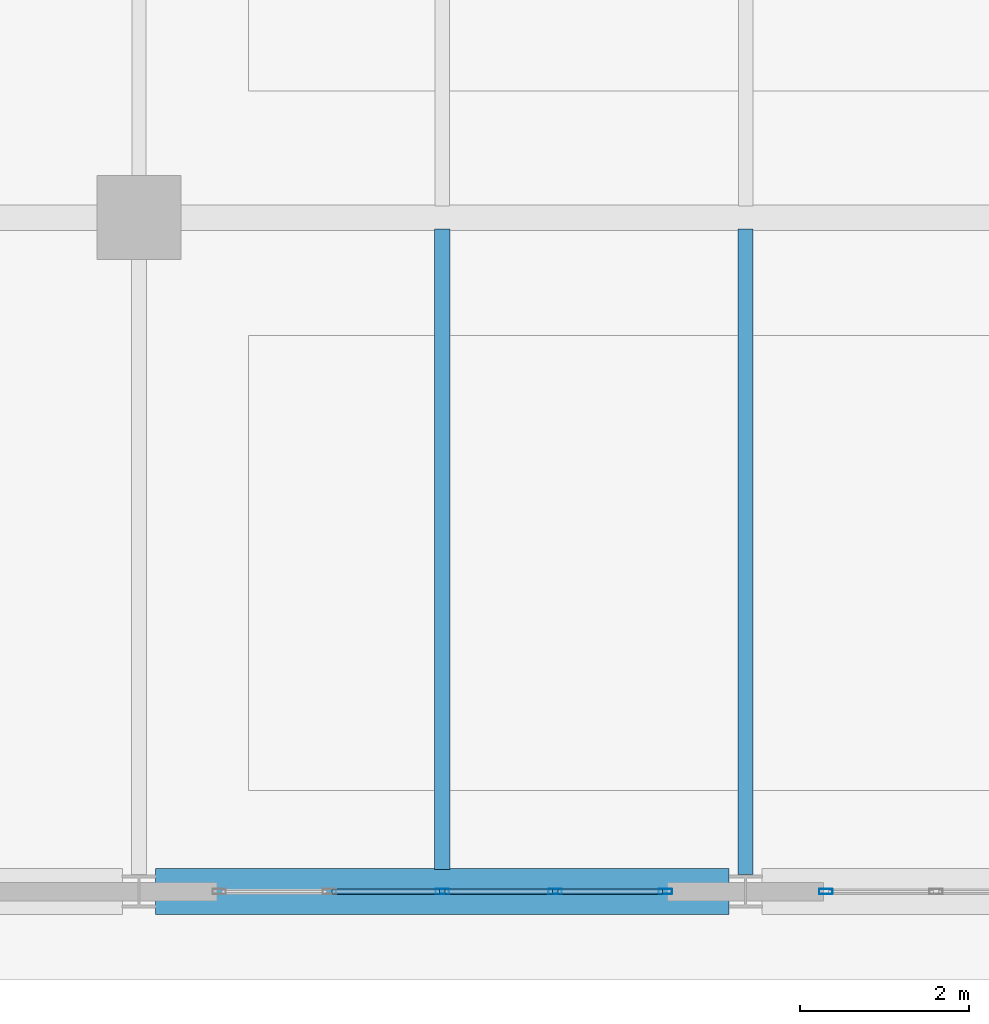
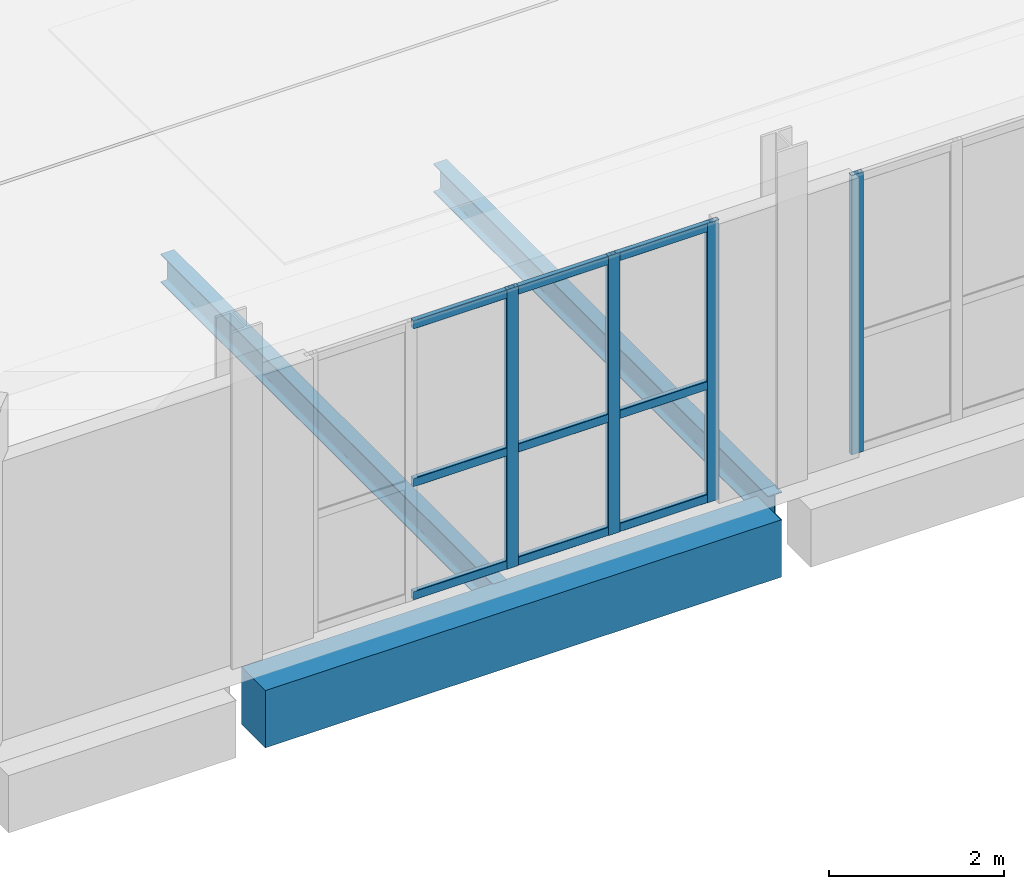
# One storey, part 5 of 36: 13 members, 3 beams, 2 elements without a shape of their own.
"""IFC4 building model written with IfcOpenShell, lengths in metres."""

from ifc_helpers import new_model, si_unit, direction, frame, origin, origin_2d, place, context, subcontext, project, spatial, rectangle, hollow_rectangle, i_section, extrude, material, layer, layer_set, material_profile, profile_set, type_object, element, aggregate, save


model = new_model("IFC4")

# Units and contexts
model_context = context("Model", 3, precision=1e-05, world=origin(), true_north=direction((0.0, 1.0)))
body_context = subcontext(model_context, "Body", "Model", "MODEL_VIEW")
ifc_project = project(units=[si_unit("LENGTHUNIT", "METRE"), si_unit("AREAUNIT", "SQUARE_METRE"), si_unit("VOLUMEUNIT", "CUBIC_METRE"), si_unit("PLANEANGLEUNIT", "RADIAN"), si_unit("MASSUNIT", "GRAM", prefix="KILO")], contexts=[model_context])

# Site, building, storey
site_placement = place(None, origin())
site = spatial("IfcSite", under=ifc_project, at=site_placement, CompositionType="ELEMENT")
building_placement = place(site_placement, origin())
building = spatial("IfcBuilding", under=site, at=building_placement, Name="Kaelvorn Grand Hotel", CompositionType="ELEMENT")
storey_placement = place(building_placement, frame((0.0, 0.0, 305.699951171875)))
storey = spatial("IfcBuildingStorey", under=building, at=storey_placement, Name="L74", CompositionType="ELEMENT", Elevation=305.699951171875)

# Beams
ifc_material_1 = material(Name="Steel S355", Category="steel")
ifc_material_profile_1 = material_profile(ifc_material_1, i_section(OverallWidth=0.179931640625, OverallDepth=0.39990234375, WebThickness=0.008544921875, FlangeThickness=0.013427734375, FilletRadius=0.02099609375, at=origin_2d()), Name="IPE 400")
ifc_profile_set_1 = profile_set([ifc_material_profile_1], Name="Steel S355")
beam_type_1 = type_object("IfcBeamType", Name="BM-J-IPE400-S355", PredefinedType="JOIST", material=ifc_profile_set_1)
beam_1_placement = place(storey_placement, frame((19.800048828125, 7.260009765625, -0.579833984375), z_axis=(0.0, 1.0, 0.0), x_axis=(-1.0, 0.0, 0.0)))
element("IfcBeam", 1, at=beam_1_placement, inside=storey, type_object=beam_type_1, Name="L74 Composite Floor Joist JS-06", PredefinedType="JOIST", context=body_context, shape_type="SweptSolid", body=[
    extrude(i_section(OverallWidth=0.179931640625, OverallDepth=0.39990234375, WebThickness=0.008544921875, FlangeThickness=0.013427734375, FilletRadius=0.02099609375, at=origin_2d()), origin(), (0.0, 0.0, 1.0), 7.60400390625),
])
beam_2_placement = place(storey_placement, frame((23.39990234375, 7.205078125, -0.579833984375), z_axis=(0.0, 1.0, 0.0), x_axis=(-1.0, 0.0, 0.0)))
element("IfcBeam", 2, at=beam_2_placement, inside=storey, type_object=beam_type_1, Name="L74 Composite Floor Joist JS-07", PredefinedType="JOIST", context=body_context, shape_type="SweptSolid", body=[
    extrude(i_section(OverallWidth=0.179931640625, OverallDepth=0.39990234375, WebThickness=0.008544921875, FlangeThickness=0.013427734375, FilletRadius=0.02099609375, at=origin_2d()), origin(), (0.0, 0.0, 1.0), 7.658935546875),
])
ifc_material_2 = material(Name="Concrete C50/60", Category="concrete")
ifc_material_profile_2 = material_profile(ifc_material_2, rectangle(XDim=0.550048828125, YDim=0.800048828125, at=origin_2d()), Name="RC SPANDREL 550x800")
ifc_profile_set_2 = profile_set([ifc_material_profile_2], Name="Concrete C50/60")
beam_type_2 = type_object("IfcBeamType", Name="BM-SP-550x800-C50", PredefinedType="SPANDREL", material=ifc_profile_set_2)
beam_3_placement = place(storey_placement, frame((16.39501953125, 7.0, -0.780029296875), z_axis=(1.0, 0.0, 0.0), x_axis=(0.0, 1.0, 0.0)))
element("IfcBeam", 3, at=beam_3_placement, inside=storey, type_object=beam_type_2, Name="L74 South Perimeter Spandrel 02", PredefinedType="SPANDREL", context=body_context, shape_type="SweptSolid", body=[
    extrude(rectangle(XDim=0.550048828125, YDim=0.800048828125, at=origin_2d()), origin(), (0.0, 0.0, 1.0), 6.81005859375),
])

# Curtain wall, members
ifc_material_3 = material(Name="Anodised Aluminium", Category="aluminium")
ifc_layer = layer(ifc_material_3, 0.159912109375)
ifc_layer_set = layer_set([ifc_layer], Name="Anodised Aluminium")
curtain_wall_type = type_object("IfcCurtainWallType", Name="CW-SYS6", PredefinedType="NOTDEFINED", material=ifc_layer_set)
curtain_wall_1_placement = place(storey_placement, origin())
curtain_wall_1 = element("IfcCurtainWall", 4, at=curtain_wall_1_placement, inside=storey, type_object=curtain_wall_type, Name="L74 Unitised Curtain Wall CW6 (CW-L74-S-01)", PredefinedType="NOTDEFINED")
ifc_material_profile_3 = material_profile(ifc_material_3, hollow_rectangle(XDim=0.06494140625, YDim=0.159912109375, WallThickness=0.00341796875, InnerFilletRadius=0.00341796875, OuterFilletRadius=0.007080078125, at=origin_2d()), Name="ALU MULL 65x160")
ifc_profile_set_3 = profile_set([ifc_material_profile_3], Name="Anodised Aluminium")
member_type_1 = type_object("IfcMemberType", Name="CW-SYS6-MULL", PredefinedType="MULLION", material=ifc_profile_set_3)
member_1_placement = place(storey_placement, frame((19.800048828125, 7.0, 0.0), z_axis=(0.0, 0.0, 1.0), x_axis=(0.0, 1.0, 0.0)))
member_1 = element("IfcMember", 5, at=member_1_placement, type_object=member_type_1, Name="CW6 mullion 3", PredefinedType="MULLION", context=body_context, shape_type="SweptSolid", body=[
    extrude(hollow_rectangle(XDim=0.06494140625, YDim=0.159912109375, WallThickness=0.00341796875, InnerFilletRadius=0.00341796875, OuterFilletRadius=0.007080078125, at=origin_2d()), origin(), (0.0, 0.0, 1.0), 3.900146484375),
])
member_2_placement = place(storey_placement, frame((21.139892578125, 7.0, 0.0), z_axis=(0.0, 0.0, 1.0), x_axis=(0.0, 1.0, 0.0)))
member_2 = element("IfcMember", 6, at=member_2_placement, type_object=member_type_1, Name="CW6 mullion 4", PredefinedType="MULLION", context=body_context, shape_type="SweptSolid", body=[
    extrude(hollow_rectangle(XDim=0.06494140625, YDim=0.159912109375, WallThickness=0.00341796875, InnerFilletRadius=0.00341796875, OuterFilletRadius=0.007080078125, at=origin_2d()), origin(), (0.0, 0.0, 1.0), 3.900146484375),
])
member_3_placement = place(storey_placement, frame((22.447509765625, 7.0, 0.0), z_axis=(0.0, 0.0, 1.0), x_axis=(0.0, 1.0, 0.0)))
member_3 = element("IfcMember", 7, at=member_3_placement, type_object=member_type_1, Name="CW6 mullion 5", PredefinedType="MULLION", context=body_context, shape_type="SweptSolid", body=[
    extrude(hollow_rectangle(XDim=0.06494140625, YDim=0.159912109375, WallThickness=0.00341796875, InnerFilletRadius=0.00341796875, OuterFilletRadius=0.007080078125, at=origin_2d()), origin(), (0.0, 0.0, 1.0), 3.900146484375),
])

# Curtain wall, member
curtain_wall_2_placement = place(storey_placement, origin())
curtain_wall_2 = element("IfcCurtainWall", 8, at=curtain_wall_2_placement, inside=storey, type_object=curtain_wall_type, Name="L74 Unitised Curtain Wall CW6 (CW-L74-S-02)", PredefinedType="NOTDEFINED")
member_4_placement = place(storey_placement, frame((24.3525390625, 7.0, 0.0), z_axis=(0.0, 0.0, 1.0), x_axis=(0.0, 1.0, 0.0)))
member_4 = element("IfcMember", 9, at=member_4_placement, type_object=member_type_1, Name="CW6 mullion 1", PredefinedType="MULLION", context=body_context, shape_type="SweptSolid", body=[
    extrude(hollow_rectangle(XDim=0.06494140625, YDim=0.159912109375, WallThickness=0.00341796875, InnerFilletRadius=0.00341796875, OuterFilletRadius=0.007080078125, at=origin_2d()), origin(), (0.0, 0.0, 1.0), 3.900146484375),
])
aggregate(curtain_wall_2, [member_4])

# Member
ifc_material_profile_4 = material_profile(ifc_material_3, hollow_rectangle(XDim=0.06494140625, YDim=0.1201171875, WallThickness=0.00341796875, InnerFilletRadius=0.00341796875, OuterFilletRadius=0.007080078125, at=origin_2d()), Name="ALU TRAN 65x120")
ifc_profile_set_4 = profile_set([ifc_material_profile_4], Name="Anodised Aluminium")
member_type_2 = type_object("IfcMemberType", Name="CW-SYS6-TRAN", PredefinedType="NOTDEFINED", material=ifc_profile_set_4)
member_5_placement = place(storey_placement, frame((18.492431640625, 7.0, 0.06005859375), z_axis=(1.0, 0.0, 0.0), x_axis=(0.0, 1.0, 0.0)))
member_5 = element("IfcMember", 10, at=member_5_placement, type_object=member_type_2, Name="CW6 transom 2.1", ObjectType="TRANSOM", PredefinedType="USERDEFINED", context=body_context, shape_type="SweptSolid", body=[
    extrude(hollow_rectangle(XDim=0.06494140625, YDim=0.1201171875, WallThickness=0.00341796875, InnerFilletRadius=0.00341796875, OuterFilletRadius=0.007080078125, at=origin_2d()), origin(), (0.0, 0.0, 1.0), 1.275146484375),
])

member_6_placement = place(storey_placement, frame((18.492431640625, 7.0, 1.637939453125), z_axis=(1.0, 0.0, 0.0), x_axis=(0.0, 1.0, 0.0)))
member_6 = element("IfcMember", 11, at=member_6_placement, type_object=member_type_2, Name="CW6 transom 2.2", ObjectType="TRANSOM", PredefinedType="USERDEFINED", context=body_context, shape_type="SweptSolid", body=[
    extrude(hollow_rectangle(XDim=0.06494140625, YDim=0.1201171875, WallThickness=0.00341796875, InnerFilletRadius=0.00341796875, OuterFilletRadius=0.007080078125, at=origin_2d()), origin(), (0.0, 0.0, 1.0), 1.275146484375),
])

member_7_placement = place(storey_placement, frame((18.492431640625, 7.0, 3.840087890625), z_axis=(1.0, 0.0, 0.0), x_axis=(0.0, 1.0, 0.0)))
member_7 = element("IfcMember", 12, at=member_7_placement, type_object=member_type_2, Name="CW6 transom 2.3", ObjectType="TRANSOM", PredefinedType="USERDEFINED", context=body_context, shape_type="SweptSolid", body=[
    extrude(hollow_rectangle(XDim=0.06494140625, YDim=0.1201171875, WallThickness=0.00341796875, InnerFilletRadius=0.00341796875, OuterFilletRadius=0.007080078125, at=origin_2d()), origin(), (0.0, 0.0, 1.0), 1.275146484375),
])

member_8_placement = place(storey_placement, frame((19.83251953125, 7.0, 0.06005859375), z_axis=(1.0, 0.0, 0.0), x_axis=(0.0, 1.0, 0.0)))
member_8 = element("IfcMember", 13, at=member_8_placement, type_object=member_type_2, Name="CW6 transom 3.1", ObjectType="TRANSOM", PredefinedType="USERDEFINED", context=body_context, shape_type="SweptSolid", body=[
    extrude(hollow_rectangle(XDim=0.06494140625, YDim=0.1201171875, WallThickness=0.00341796875, InnerFilletRadius=0.00341796875, OuterFilletRadius=0.007080078125, at=origin_2d()), origin(), (0.0, 0.0, 1.0), 1.27490234375),
])

member_9_placement = place(storey_placement, frame((19.83251953125, 7.0, 1.637939453125), z_axis=(1.0, 0.0, 0.0), x_axis=(0.0, 1.0, 0.0)))
member_9 = element("IfcMember", 14, at=member_9_placement, type_object=member_type_2, Name="CW6 transom 3.2", ObjectType="TRANSOM", PredefinedType="USERDEFINED", context=body_context, shape_type="SweptSolid", body=[
    extrude(hollow_rectangle(XDim=0.06494140625, YDim=0.1201171875, WallThickness=0.00341796875, InnerFilletRadius=0.00341796875, OuterFilletRadius=0.007080078125, at=origin_2d()), origin(), (0.0, 0.0, 1.0), 1.27490234375),
])

member_10_placement = place(storey_placement, frame((19.83251953125, 7.0, 3.840087890625), z_axis=(1.0, 0.0, 0.0), x_axis=(0.0, 1.0, 0.0)))
member_10 = element("IfcMember", 15, at=member_10_placement, type_object=member_type_2, Name="CW6 transom 3.3", ObjectType="TRANSOM", PredefinedType="USERDEFINED", context=body_context, shape_type="SweptSolid", body=[
    extrude(hollow_rectangle(XDim=0.06494140625, YDim=0.1201171875, WallThickness=0.00341796875, InnerFilletRadius=0.00341796875, OuterFilletRadius=0.007080078125, at=origin_2d()), origin(), (0.0, 0.0, 1.0), 1.27490234375),
])

member_11_placement = place(storey_placement, frame((21.172607421875, 7.0, 0.06005859375), z_axis=(1.0, 0.0, 0.0), x_axis=(0.0, 1.0, 0.0)))
member_11 = element("IfcMember", 16, at=member_11_placement, type_object=member_type_2, Name="CW6 transom 4.1", ObjectType="TRANSOM", PredefinedType="USERDEFINED", context=body_context, shape_type="SweptSolid", body=[
    extrude(hollow_rectangle(XDim=0.06494140625, YDim=0.1201171875, WallThickness=0.00341796875, InnerFilletRadius=0.00341796875, OuterFilletRadius=0.007080078125, at=origin_2d()), origin(), (0.0, 0.0, 1.0), 1.242431640625),
])

member_12_placement = place(storey_placement, frame((21.172607421875, 7.0, 1.637939453125), z_axis=(1.0, 0.0, 0.0), x_axis=(0.0, 1.0, 0.0)))
member_12 = element("IfcMember", 17, at=member_12_placement, type_object=member_type_2, Name="CW6 transom 4.2", ObjectType="TRANSOM", PredefinedType="USERDEFINED", context=body_context, shape_type="SweptSolid", body=[
    extrude(hollow_rectangle(XDim=0.06494140625, YDim=0.1201171875, WallThickness=0.00341796875, InnerFilletRadius=0.00341796875, OuterFilletRadius=0.007080078125, at=origin_2d()), origin(), (0.0, 0.0, 1.0), 1.242431640625),
])

member_13_placement = place(storey_placement, frame((21.172607421875, 7.0, 3.840087890625), z_axis=(1.0, 0.0, 0.0), x_axis=(0.0, 1.0, 0.0)))
member_13 = element("IfcMember", 18, at=member_13_placement, type_object=member_type_2, Name="CW6 transom 4.3", ObjectType="TRANSOM", PredefinedType="USERDEFINED", context=body_context, shape_type="SweptSolid", body=[
    extrude(hollow_rectangle(XDim=0.06494140625, YDim=0.1201171875, WallThickness=0.00341796875, InnerFilletRadius=0.00341796875, OuterFilletRadius=0.007080078125, at=origin_2d()), origin(), (0.0, 0.0, 1.0), 1.242431640625),
])

aggregate(curtain_wall_1, [member_1, member_2, member_3, member_5, member_6, member_7, member_8, member_9, member_10, member_11, member_12, member_13])

save(model, "model.ifc")
